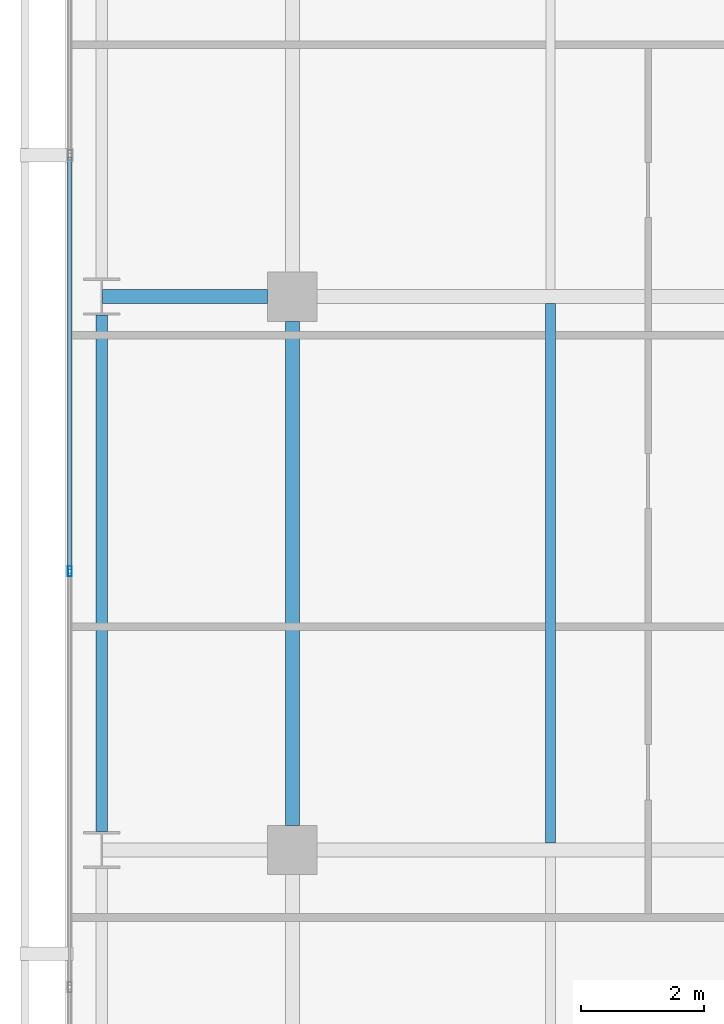
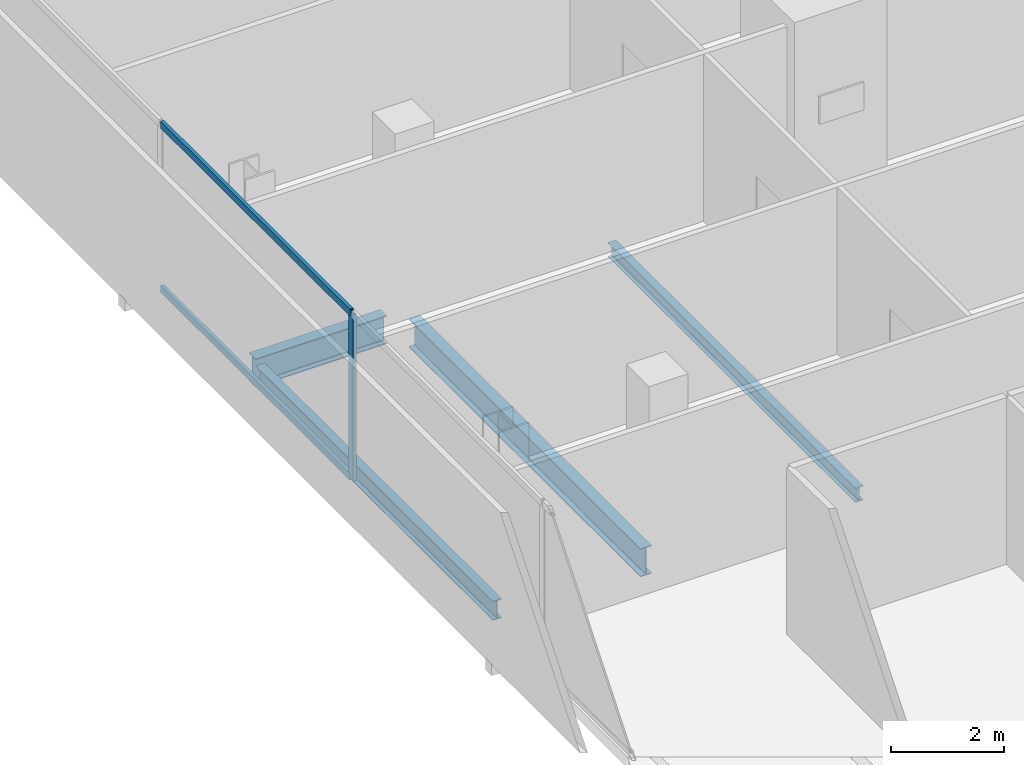
# One storey, part 8 of 33: 4 beams, 3 members, 1 element without a shape of its own.
"""IFC4 building model written with IfcOpenShell, lengths in metres."""

from ifc_helpers import new_model, si_unit, direction, frame, origin, origin_2d, place, context, subcontext, project, spatial, hollow_rectangle, i_section, extrude, material, layer, layer_set, material_profile, profile_set, type_object, element, aggregate, save


model = new_model("IFC4")

# Units and contexts
model_context = context("Model", 3, precision=1e-05, world=origin(), true_north=direction((0.0, 1.0)))
body_context = subcontext(model_context, "Body", "Model", "MODEL_VIEW")
ifc_project = project(units=[si_unit("LENGTHUNIT", "METRE"), si_unit("AREAUNIT", "SQUARE_METRE"), si_unit("VOLUMEUNIT", "CUBIC_METRE"), si_unit("PLANEANGLEUNIT", "RADIAN"), si_unit("MASSUNIT", "GRAM", prefix="KILO")], contexts=[model_context])

# Site, building, storey
site_placement = place(None, origin())
site = spatial("IfcSite", under=ifc_project, at=site_placement, CompositionType="ELEMENT")
building_placement = place(site_placement, origin())
building = spatial("IfcBuilding", under=site, at=building_placement, Name="Maruvema Waterfront Hotel and Observation Tower", CompositionType="ELEMENT")
storey_placement = place(building_placement, frame((0.0, 0.0, 138.949951171875)))
storey = spatial("IfcBuildingStorey", under=building, at=storey_placement, Name="L33", CompositionType="ELEMENT", Elevation=138.949951171875)

# Curtain wall, members
ifc_material_1 = material(Name="Anodised bronze aluminium and solar-control low-E IGU", Category="aluminium")
ifc_layer = layer(ifc_material_1, 0.159912109375, Name="Zone 2 Amber Inner Thermal Curtain Wall System CW-03")
ifc_layer_set = layer_set([ifc_layer], Name="Anodised bronze aluminium and solar-control low-E IGU")
curtain_wall_type = type_object("IfcCurtainWallType", Name="Zone 2 Amber Inner Thermal Curtain Wall System CW-03", PredefinedType="USERDEFINED", material=ifc_layer_set)
curtain_wall_placement = place(storey_placement, origin())
curtain_wall = element("IfcCurtainWall", 1, at=curtain_wall_placement, inside=storey, type_object=curtain_wall_type, Name="L33 Curtain Wall CW-L33-W", ObjectType="UNITISED CURTAIN WALL", PredefinedType="USERDEFINED")
ifc_material_2 = material(Name="Anodised architectural bronze aluminium", Category="aluminium")
ifc_material_profile_1 = material_profile(ifc_material_2, hollow_rectangle(XDim=0.070068359375, YDim=0.14990234375, WallThickness=0.00390625, at=origin_2d()), Name="ALU-T70x150")
ifc_profile_set_1 = profile_set([ifc_material_profile_1], Name="Anodised architectural bronze aluminium")
member_type_1 = type_object("IfcMemberType", Name="Curtain Wall Horizontal Transom ALU-T70x150", PredefinedType="USERDEFINED", material=ifc_profile_set_1)
member_1_placement = place(storey_placement, frame((13.179931640625, 29.27001953125, 0.030029296875), z_axis=(0.0, -1.0, 0.0), x_axis=(1.0, 0.0, 0.0)))
member_1 = element("IfcMember", 2, at=member_1_placement, type_object=member_type_1, Name="CW-03 transom 4.1", ObjectType="TRANSOM", PredefinedType="USERDEFINED", context=body_context, shape_type="SweptSolid", body=[
    extrude(hollow_rectangle(XDim=0.070068359375, YDim=0.14990234375, WallThickness=0.00390625, at=origin_2d()), origin(), (0.0, 0.0, 1.0), 6.706787109375),
])
member_2_placement = place(storey_placement, frame((13.179931640625, 29.27001953125, 3.580078125), z_axis=(0.0, -1.0, 0.0), x_axis=(1.0, 0.0, 0.0)))
member_2 = element("IfcMember", 3, at=member_2_placement, type_object=member_type_1, Name="CW-03 transom 4.2", ObjectType="TRANSOM", PredefinedType="USERDEFINED", context=body_context, shape_type="SweptSolid", body=[
    extrude(hollow_rectangle(XDim=0.070068359375, YDim=0.14990234375, WallThickness=0.00390625, at=origin_2d()), origin(), (0.0, 0.0, 1.0), 6.706787109375),
])
ifc_material_3 = material(Name="Anodised architectural bronze aluminium", Category="aluminium")
ifc_material_profile_2 = material_profile(ifc_material_3, hollow_rectangle(XDim=0.06494140625, YDim=0.1650390625, WallThickness=0.00390625, at=origin_2d()), Name="ALU-M65x165")
ifc_profile_set_2 = profile_set([ifc_material_profile_2], Name="Anodised architectural bronze aluminium")
member_type_2 = type_object("IfcMemberType", Name="Curtain Wall Primary Mullion ALU-M65x165", PredefinedType="MULLION", material=ifc_profile_set_2)
member_3_placement = place(storey_placement, frame((13.179931640625, 22.533447265625, 0.0), z_axis=(0.0, 0.0, 1.0), x_axis=(1.0, 0.0, 0.0)))
member_3 = element("IfcMember", 4, at=member_3_placement, type_object=member_type_2, Name="CW-03 mullion 5", PredefinedType="MULLION", context=body_context, shape_type="SweptSolid", body=[
    extrude(hollow_rectangle(XDim=0.06494140625, YDim=0.1650390625, WallThickness=0.00390625, at=origin_2d()), origin(), (0.0, 0.0, 1.0), 3.610107421875),
])
aggregate(curtain_wall, [member_3, member_1, member_2])

# Beams
ifc_material_4 = material(Name="Steel ASTM A572 Grade 50", Category="steel")
ifc_material_profile_3 = material_profile(ifc_material_4, i_section(OverallWidth=0.180908203125, OverallDepth=0.4169921875, WebThickness=0.010986328125, FlangeThickness=0.018310546875, FilletRadius=0.014892578125, at=origin_2d()), Name="W410x85.0")
ifc_profile_set_3 = profile_set([ifc_material_profile_3], Name="Steel ASTM A572 Grade 50")
beam_type_1 = type_object("IfcBeamType", Name="Perimeter Spandrel Beam W410x85.0", PredefinedType="SPANDREL", material=ifc_profile_set_3)
beam_1_placement = place(storey_placement, frame((13.699951171875, 18.300048828125, -0.448486328125), z_axis=(0.0, 1.0, 0.0), x_axis=(-1.0, 0.0, 0.0)))
element("IfcBeam", 5, at=beam_1_placement, inside=storey, type_object=beam_type_1, Name="L33 Floor Girder NS-02", PredefinedType="SPANDREL", context=body_context, shape_type="SweptSolid", body=[
    extrude(i_section(OverallWidth=0.180908203125, OverallDepth=0.4169921875, WebThickness=0.010986328125, FlangeThickness=0.018310546875, FilletRadius=0.014892578125, at=origin_2d()), origin(), (0.0, 0.0, 1.0), 8.39990234375),
])
ifc_material_5 = material(Name="Steel ASTM A572 Grade 50", Category="steel")
ifc_material_profile_4 = material_profile(ifc_material_5, i_section(OverallWidth=0.22900390625, OverallDepth=0.612060546875, WebThickness=0.011962890625, FlangeThickness=0.01953125, FilletRadius=0.01806640625, at=origin_2d()), Name="W610x125.0")
ifc_profile_set_4 = profile_set([ifc_material_profile_4], Name="Steel ASTM A572 Grade 50")
beam_type_2 = type_object("IfcBeamType", Name="Primary Floor Girder W610x125.0", PredefinedType="BEAM", material=ifc_profile_set_4)
beam_2_placement = place(storey_placement, frame((13.71240234375, 27.0, -0.5458984375), z_axis=(1.0, 0.0, 0.0), x_axis=(0.0, 1.0, 0.0)))
element("IfcBeam", 6, at=beam_2_placement, inside=storey, type_object=beam_type_2, Name="L33 Floor Girder EW-18", PredefinedType="BEAM", context=body_context, shape_type="SweptSolid", body=[
    extrude(i_section(OverallWidth=0.22900390625, OverallDepth=0.612060546875, WebThickness=0.011962890625, FlangeThickness=0.01953125, FilletRadius=0.01806640625, at=origin_2d()), origin(), (0.0, 0.0, 1.0), 2.6875),
])
beam_3_placement = place(storey_placement, frame((16.800048828125, 18.39990234375, -0.5458984375), z_axis=(0.0, 1.0, 0.0), x_axis=(-1.0, 0.0, 0.0)))
element("IfcBeam", 7, at=beam_3_placement, inside=storey, type_object=beam_type_2, Name="L33 Floor Girder NS-06", PredefinedType="BEAM", context=body_context, shape_type="SweptSolid", body=[
    extrude(i_section(OverallWidth=0.22900390625, OverallDepth=0.612060546875, WebThickness=0.011962890625, FlangeThickness=0.01953125, FilletRadius=0.01806640625, at=origin_2d()), origin(), (0.0, 0.0, 1.0), 8.2001953125),
])
ifc_material_6 = material(Name="Steel ASTM A572 Grade 50", Category="steel")
ifc_material_profile_5 = material_profile(ifc_material_6, i_section(OverallWidth=0.1650390625, OverallDepth=0.31005859375, WebThickness=0.005859375, FlangeThickness=0.009765625, FilletRadius=0.012939453125, at=origin_2d()), Name="W310x38.7")
ifc_profile_set_5 = profile_set([ifc_material_profile_5], Name="Steel ASTM A572 Grade 50")
beam_type_3 = type_object("IfcBeamType", Name="Secondary Floor Joist W310x38.7", PredefinedType="JOIST", material=ifc_profile_set_5)
beam_4_placement = place(storey_placement, frame((21.0, 18.114501953125, -0.39501953125), z_axis=(0.0, 1.0, 0.0), x_axis=(-1.0, 0.0, 0.0)))
element("IfcBeam", 8, at=beam_4_placement, inside=storey, type_object=beam_type_3, Name="L33 Secondary Floor Joist JS-02", PredefinedType="JOIST", context=body_context, shape_type="SweptSolid", body=[
    extrude(i_section(OverallWidth=0.1650390625, OverallDepth=0.31005859375, WebThickness=0.005859375, FlangeThickness=0.009765625, FilletRadius=0.012939453125, at=origin_2d()), origin(), (0.0, 0.0, 1.0), 8.77099609375),
])

save(model, "model.ifc")
